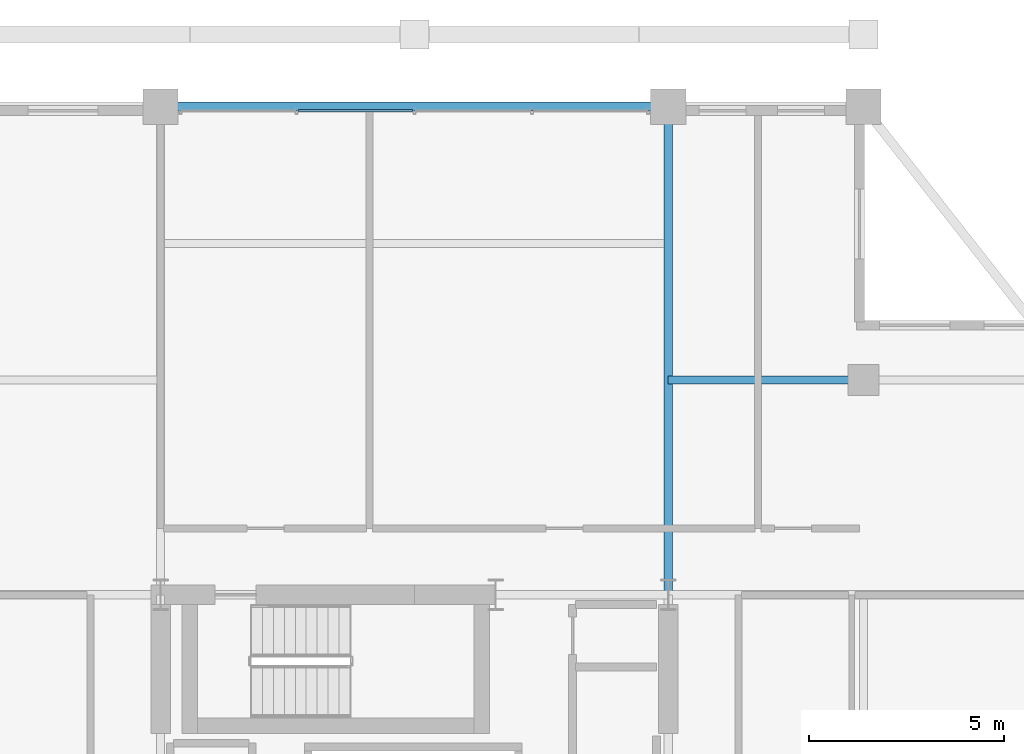
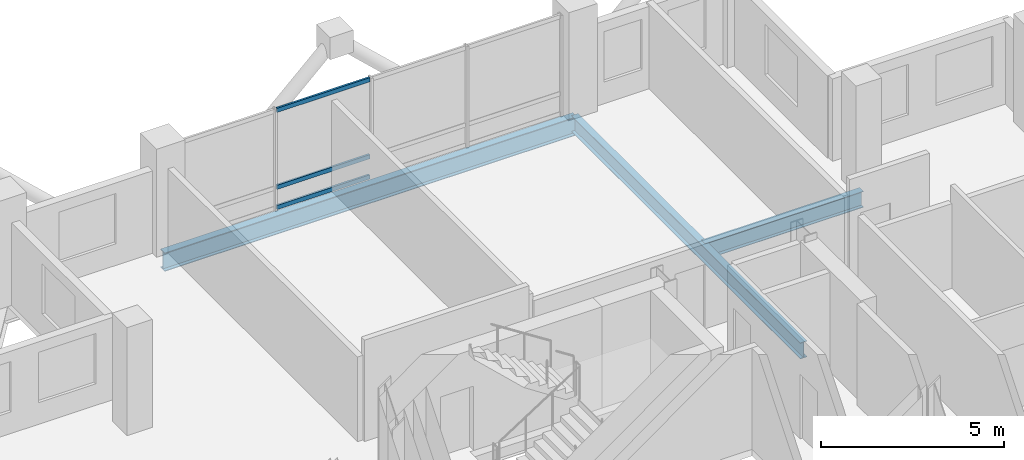
# One storey, part 15 of 23: 3 beams, 3 members, 1 element without a shape of its own.
"""IFC4 building model written with IfcOpenShell, lengths in metres."""

from ifc_helpers import new_model, si_unit, direction, frame, origin, origin_2d, place, context, subcontext, project, spatial, hollow_rectangle, i_section, extrude, material, layer, layer_set, material_profile, profile_set, type_object, element, aggregate, save


model = new_model("IFC4")

# Units and contexts
model_context = context("Model", 3, precision=1e-05, world=origin(), true_north=direction((0.0, 1.0)))
body_context = subcontext(model_context, "Body", "Model", "MODEL_VIEW")
ifc_project = project(units=[si_unit("LENGTHUNIT", "METRE"), si_unit("AREAUNIT", "SQUARE_METRE"), si_unit("VOLUMEUNIT", "CUBIC_METRE"), si_unit("PLANEANGLEUNIT", "RADIAN"), si_unit("MASSUNIT", "GRAM", prefix="KILO")], contexts=[model_context])

# Site, building, storey
site_placement = place(None, origin())
site = spatial("IfcSite", under=ifc_project, at=site_placement, CompositionType="ELEMENT")
building_placement = place(site_placement, origin())
building = spatial("IfcBuilding", under=site, at=building_placement, Name="Barlavira Tower and Art Museum", CompositionType="ELEMENT")
storey_placement = place(building_placement, frame((0.0, 0.0, 290.699951171875)))
storey = spatial("IfcBuildingStorey", under=building, at=storey_placement, Name="L76", CompositionType="ELEMENT", Elevation=290.699951171875)

# Curtain wall, members
ifc_material_1 = material(Name="Low-iron coastal laminated glass", Category="glass")
ifc_layer = layer(ifc_material_1, 0.2099609375, Name="Low-iron coastal laminated glass")
ifc_layer_set = layer_set([ifc_layer], Name="Low-iron coastal laminated glass")
curtain_wall_type = type_object("IfcCurtainWallType", Name="Pale-Metal Unitised Curtain Wall Zone 4", PredefinedType="NOTDEFINED", material=ifc_layer_set)
curtain_wall_placement = place(storey_placement, origin())
curtain_wall = element("IfcCurtainWall", 1, at=curtain_wall_placement, inside=storey, type_object=curtain_wall_type, Name="L76 Curtain Wall CW4-L76-N-B2", PredefinedType="NOTDEFINED")
ifc_material_2 = material(Name="Pale anodised aluminium", Category="aluminium")
ifc_material_profile_1 = material_profile(ifc_material_2, hollow_rectangle(XDim=0.06494140625, YDim=0.139892578125, WallThickness=0.00390625, at=origin_2d()), Name="ALU-TRAN 65x140x4")
ifc_profile_set_1 = profile_set([ifc_material_profile_1], Name="Pale anodised aluminium")
member_type = type_object("IfcMemberType", Name="Curtain Wall Pale-Metal Transom 65x140", PredefinedType="USERDEFINED", material=ifc_profile_set_1)
member_1_placement = place(storey_placement, frame((-0.044921875, 19.89990234375, 0.070068359375), z_axis=(-1.0, 0.0, 0.0), x_axis=(0.0, -1.0, 0.0)))
member_1 = element("IfcMember", 2, at=member_1_placement, type_object=member_type, Name="CW4-L76-N-B2 Transom 2.1", ObjectType="TRANSOM", PredefinedType="USERDEFINED", context=body_context, shape_type="SweptSolid", body=[
    extrude(hollow_rectangle(XDim=0.06494140625, YDim=0.139892578125, WallThickness=0.00390625, at=origin_2d()), origin(), (0.0, 0.0, 1.0), 2.925048828125),
])
member_2_placement = place(storey_placement, frame((-0.044921875, 19.89990234375, 0.744140625), z_axis=(-1.0, 0.0, 0.0), x_axis=(0.0, -1.0, 0.0)))
member_2 = element("IfcMember", 3, at=member_2_placement, type_object=member_type, Name="CW4-L76-N-B2 Transom 2.2", ObjectType="TRANSOM", PredefinedType="USERDEFINED", context=body_context, shape_type="SweptSolid", body=[
    extrude(hollow_rectangle(XDim=0.06494140625, YDim=0.139892578125, WallThickness=0.00390625, at=origin_2d()), origin(), (0.0, 0.0, 1.0), 2.925048828125),
])
member_3_placement = place(storey_placement, frame((-0.044921875, 19.89990234375, 3.31005859375), z_axis=(-1.0, 0.0, 0.0), x_axis=(0.0, -1.0, 0.0)))
member_3 = element("IfcMember", 4, at=member_3_placement, type_object=member_type, Name="CW4-L76-N-B2 Transom 2.3", ObjectType="TRANSOM", PredefinedType="USERDEFINED", context=body_context, shape_type="SweptSolid", body=[
    extrude(hollow_rectangle(XDim=0.06494140625, YDim=0.139892578125, WallThickness=0.00390625, at=origin_2d()), origin(), (0.0, 0.0, 1.0), 2.925048828125),
])
aggregate(curtain_wall, [member_1, member_2, member_3])

# Beams
ifc_material_3 = material(Name="Steel S355", Category="steel")
ifc_material_profile_2 = material_profile(ifc_material_3, i_section(OverallWidth=0.22998046875, OverallDepth=0.616943359375, WebThickness=0.01318359375, FlangeThickness=0.022216796875, at=origin_2d()), Name="W610x140.0")
ifc_profile_set_2 = profile_set([ifc_material_profile_2], Name="Steel S355")
beam_type_1 = type_object("IfcBeamType", Name="Upper Shaft Spandrel Edge Beam W610x140 Steel S355", PredefinedType="SPANDREL", material=ifc_profile_set_2)
beam_1_placement = place(storey_placement, frame((-6.5, 20.0, -0.528564453125), z_axis=(1.0, 0.0, 0.0), x_axis=(0.0, 1.0, 0.0)))
element("IfcBeam", 5, at=beam_1_placement, inside=storey, type_object=beam_type_1, Name="L76 Spandrel 10", PredefinedType="SPANDREL", context=body_context, shape_type="SweptSolid", body=[
    extrude(i_section(OverallWidth=0.22998046875, OverallDepth=0.616943359375, WebThickness=0.01318359375, FlangeThickness=0.022216796875, at=origin_2d()), origin(), (0.0, 0.0, 1.0), 13.0),
])
ifc_material_profile_3 = material_profile(ifc_material_3, i_section(OverallWidth=0.2109375, OverallDepth=0.5390625, WebThickness=0.01171875, FlangeThickness=0.018798828125, at=origin_2d()), Name="W530x109.0")
ifc_profile_set_3 = profile_set([ifc_material_profile_3], Name="Steel S355")
beam_type_2 = type_object("IfcBeamType", Name="Zone 3-4 Primary Floor Girder W530x109 Steel S355", PredefinedType="BEAM", material=ifc_profile_set_3)
beam_2_placement = place(storey_placement, frame((6.5, 7.5, -0.489501953125), z_axis=(0.0, 1.0, 0.0), x_axis=(-1.0, 0.0, 0.0)))
element("IfcBeam", 6, at=beam_2_placement, inside=storey, type_object=beam_type_2, Name="L76 Girder R-N2", PredefinedType="BEAM", context=body_context, shape_type="SweptSolid", body=[
    extrude(i_section(OverallWidth=0.2109375, OverallDepth=0.5390625, WebThickness=0.01171875, FlangeThickness=0.018798828125, at=origin_2d()), origin(), (0.0, 0.0, 1.0), 12.5),
])
beam_3_placement = place(storey_placement, frame((6.5, 13.0, -0.489501953125), z_axis=(1.0, 0.0, 0.0), x_axis=(0.0, 1.0, 0.0)))
element("IfcBeam", 7, at=beam_3_placement, inside=storey, type_object=beam_type_2, Name="L76 Girder I-N3", PredefinedType="BEAM", context=body_context, shape_type="SweptSolid", body=[
    extrude(i_section(OverallWidth=0.2109375, OverallDepth=0.5390625, WebThickness=0.01171875, FlangeThickness=0.018798828125, at=origin_2d()), origin(), (0.0, 0.0, 1.0), 5.0),
])

save(model, "model.ifc")
